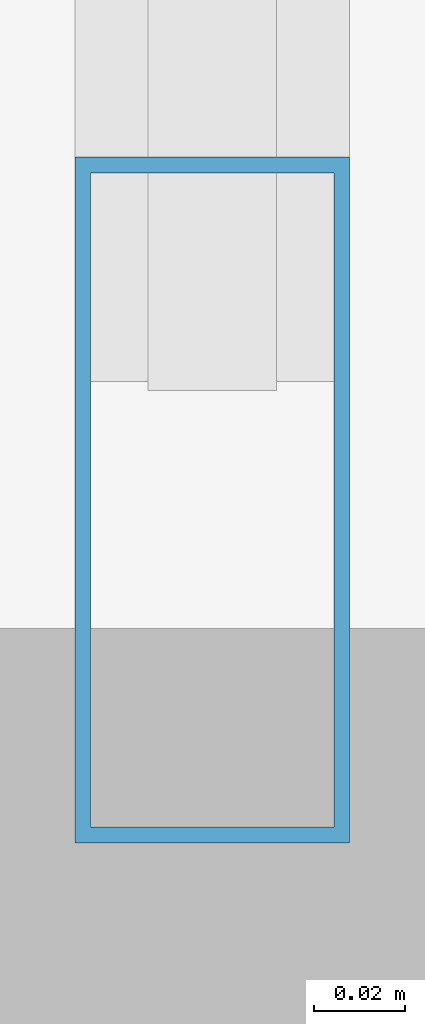
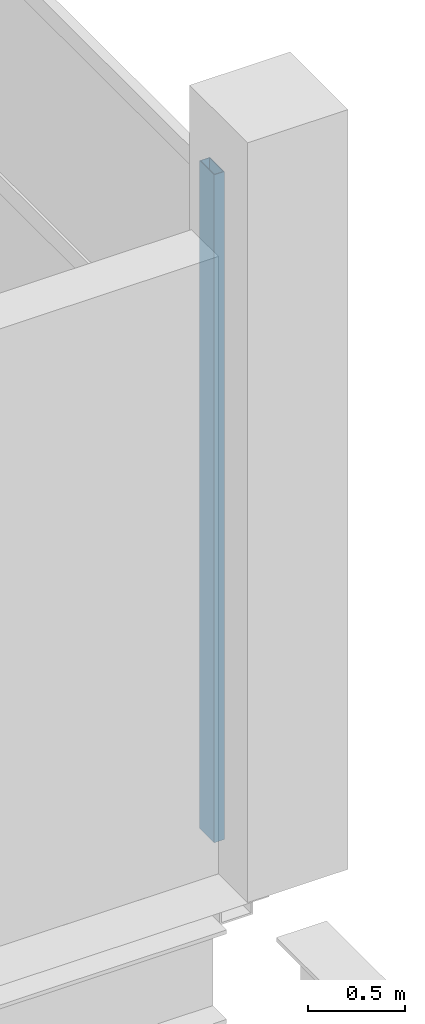
# One storey, part 96 of 134: 1 member, 1 element without a shape of its own.
"""IFC4 building model written with IfcOpenShell, lengths in metres."""

import ifcopenshell
import ifcopenshell.guid

model = None  # the IFC model being written
_history = None  # IfcOwnerHistory: only IFC2X3 demands one
_inside = {}  # id of a spatial element -> (the spatial element, [elements in it])
_under = {}  # id of a project, library or spatial element -> (it, [spatial elements below it])
_declared = {}  # id of a project -> (the project, [libraries it declares])
_typed = {}  # id of a type object -> (the type object, [elements of that type])
_made_of = {}  # id of a material, layer set ... -> (it, [elements and type objects made of it])


def new_model(schema):
    """Start an empty IFC model of exactly this schema.

    Asked for "IFC4X3", IfcOpenShell would pick the latest addendum, in which some entities
    have other attributes; the version numbers below select the first issue.
    IFC2X3 requires an IfcOwnerHistory on every rooted entity: one is made here for all.
    """
    global model, _history
    if schema == "IFC4X3":
        model = ifcopenshell.file(schema_version=(4, 3, 0, 0))
    else:
        model = ifcopenshell.file(schema=schema)
    _inside.clear()
    _under.clear()
    _declared.clear()
    _typed.clear()
    _made_of.clear()
    _history = None
    if model.schema == "IFC2X3":
        org = make("IfcOrganization", Name="unknown")
        user = make(
            "IfcPersonAndOrganization",
            ThePerson=make("IfcPerson", FamilyName="unknown"),
            TheOrganization=org,
        )
        app = make(
            "IfcApplication",
            ApplicationDeveloper=org,
            Version="unknown",
            ApplicationFullName="unknown",
            ApplicationIdentifier="unknown",
        )
        _history = make(
            "IfcOwnerHistory",
            OwningUser=user,
            OwningApplication=app,
            ChangeAction="ADDED",
            CreationDate=0,
        )
    return model


def make(cls, **values):
    """One entity of the class cls with the attributes given. An attribute that is None is left unset."""
    return model.create_entity(
        cls, **{name: value for name, value in values.items() if value is not None}
    )


def rooted(cls, **values):
    """An entity with a GlobalId (a new one), such as an element, a storey or a relation."""
    return make(cls, GlobalId=ifcopenshell.guid.new(), OwnerHistory=_history, **values)


def si_unit(unit_type, name, prefix=None):
    """IfcSIUnit, for example si_unit("LENGTHUNIT", "METRE", prefix="MILLI")."""
    return make("IfcSIUnit", UnitType=unit_type, Prefix=prefix, Name=name)


def assignment(units):
    """IfcUnitAssignment: the units of a project."""
    return None if units is None else make("IfcUnitAssignment", Units=units)


def point(xyz):
    """IfcCartesianPoint."""
    return None if xyz is None else make("IfcCartesianPoint", Coordinates=xyz)


def direction(xyz):
    """IfcDirection."""
    return None if xyz is None else make("IfcDirection", DirectionRatios=xyz)


def frame(location, z_axis=None, x_axis=None):
    """IfcAxis2Placement3D, a coordinate frame: its origin and axes. An axis left out is left unset."""
    return make(
        "IfcAxis2Placement3D",
        Location=point(location),
        Axis=direction(z_axis),
        RefDirection=direction(x_axis),
    )


def frame_2d(location, x_axis=None):
    """IfcAxis2Placement2D, a coordinate frame in the plane: its origin and x axis."""
    return make(
        "IfcAxis2Placement2D", Location=point(location), RefDirection=direction(x_axis)
    )


def origin():
    """The frame at (0, 0, 0) with its axes left unset."""
    return frame((0.0, 0.0, 0.0))


def origin_2d():
    """The frame at (0, 0) in the plane with its x axis left unset."""
    return frame_2d((0.0, 0.0))


def place(relative_to, where):
    """IfcLocalPlacement: puts the frame where relative to a parent placement (None: the world)."""
    return make(
        "IfcLocalPlacement", PlacementRelTo=relative_to, RelativePlacement=where
    )


def context(
    kind, dimensions, precision=None, world=None, true_north=None, identifier=None
):
    """IfcGeometricRepresentationContext, for example the 3D "Model" context."""
    return make(
        "IfcGeometricRepresentationContext",
        ContextIdentifier=identifier,
        ContextType=kind,
        CoordinateSpaceDimension=dimensions,
        Precision=precision,
        WorldCoordinateSystem=world,
        TrueNorth=true_north,
    )


def subcontext(parent, identifier, kind, view, scale=None):
    """IfcGeometricRepresentationSubContext, for example "Body" below "Model"."""
    return make(
        "IfcGeometricRepresentationSubContext",
        ContextIdentifier=identifier,
        ContextType=kind,
        ParentContext=parent,
        TargetScale=scale,
        TargetView=view,
    )


def project(units=None, contexts=None):
    """IfcProject with its units and contexts."""
    return rooted(
        "IfcProject",
        Name="project",
        RepresentationContexts=contexts,
        UnitsInContext=assignment(units),
    )


def spatial(cls, under=None, at=None, **own):
    """A site, building, storey or space (cls), placed at a placement, below another one or the project."""
    s = rooted(cls, ObjectPlacement=at, **own)
    if under is not None:
        _under.setdefault(under.id(), (under, []))[1].append(s)
    return s


def profile(cls, at=None, kind="AREA", **sizes):
    """A parametric profile (cls). Its sizes go by their IFC names, for example OverallWidth=200.0."""
    return make(cls, ProfileType=kind, Position=at, **sizes)


def hollow_rectangle(**sizes):
    """IfcRectangleHollowProfileDef."""
    return profile("IfcRectangleHollowProfileDef", **sizes)


def extrude(swept, where, along, depth):
    """IfcExtrudedAreaSolid: the profile swept, set in the frame where, extruded along a direction by depth."""
    return make(
        "IfcExtrudedAreaSolid",
        SweptArea=swept,
        Position=where,
        ExtrudedDirection=direction(along),
        Depth=depth,
    )


def shape(context_of_items, identifier, shape_type, items):
    """IfcShapeRepresentation: the items that make up one representation, for example the "Body"."""
    return make(
        "IfcShapeRepresentation",
        ContextOfItems=context_of_items,
        RepresentationIdentifier=identifier,
        RepresentationType=shape_type,
        Items=items,
    )


def material(Name=None, Category=None):
    """IfcMaterial."""
    return make("IfcMaterial", Name=Name, Category=Category)


def layer(
    of_material, thickness, ventilated=None, Name=None, Category=None, Priority=None
):
    """IfcMaterialLayer: one layer of a wall or slab, of a material (None: an air gap)."""
    return make(
        "IfcMaterialLayer",
        Material=of_material,
        LayerThickness=thickness,
        IsVentilated=ventilated,
        Name=Name,
        Category=Category,
        Priority=Priority,
    )


def layer_set(layers, Name=None):
    """IfcMaterialLayerSet."""
    return make("IfcMaterialLayerSet", MaterialLayers=layers, LayerSetName=Name)


def material_profile(
    of_material, cross_section, Name=None, Category=None, Priority=None
):
    """IfcMaterialProfile: a cross section and its material."""
    return make(
        "IfcMaterialProfile",
        Name=Name,
        Material=of_material,
        Profile=cross_section,
        Priority=Priority,
        Category=Category,
    )


def profile_set(profiles, Name=None, composite=None):
    """IfcMaterialProfileSet."""
    return make(
        "IfcMaterialProfileSet",
        Name=Name,
        MaterialProfiles=profiles,
        CompositeProfile=composite,
    )


def made_of(thing, what):
    """Note that an element or type object is made of a material, layer set ...; save() writes the relation."""
    if what is not None:
        _made_of.setdefault(what.id(), (what, []))[1].append(thing)
    return thing


def type_object(cls, material=None, **own):
    """A type object (cls), such as IfcWallType, which elements share."""
    return made_of(rooted(cls, **own), material)


def element(
    cls,
    number,
    at=None,
    inside=None,
    cuts=None,
    type_object=None,
    material=None,
    context=None,
    identifier="Body",
    shape_type=None,
    held_by="IfcProductDefinitionShape",
    body=None,
    shapes=None,
    **own,
):
    """One element of the class cls, such as IfcWall. Its Tag is "e" and its number.

    at: its placement. inside: the storey or other place that contains it. cuts: it is an
    opening in that element (IfcRelVoidsElement). A single representation is given by context,
    identifier, shape_type and body (its items); several are given by shapes. held_by: the class
    of the entity that holds the representations. save() writes the other relations.
    """
    e = rooted(cls, Tag="e%d" % number, ObjectPlacement=at, **own)
    if body is not None:
        shapes = [shape(context, identifier, shape_type, body)]
    if shapes is not None:
        e.Representation = make(held_by, Representations=shapes)
    if inside is not None:
        _inside.setdefault(inside.id(), (inside, []))[1].append(e)
    if cuts is not None:
        rooted(
            "IfcRelVoidsElement", RelatingBuildingElement=cuts, RelatedOpeningElement=e
        )
    if type_object is not None:
        _typed.setdefault(type_object.id(), (type_object, []))[1].append(e)
    return made_of(e, material)


def aggregate(whole, parts):
    """IfcRelAggregates: a whole, such as a stair, and the parts it consists of."""
    return rooted("IfcRelAggregates", RelatingObject=whole, RelatedObjects=parts)


def save(model, path):
    """Write the relations noted so far, then the file.

    IfcRelAggregates (storeys below a building ...), IfcRelContainedInSpatialStructure (elements
    in a storey), IfcRelDefinesByType, IfcRelAssociatesMaterial and IfcRelDeclares: one each for
    every whole, place, type object, material and project.
    """
    for whole, parts in _under.values():
        aggregate(whole, parts)
    for where, things in _inside.values():
        rooted(
            "IfcRelContainedInSpatialStructure",
            RelatedElements=things,
            RelatingStructure=where,
        )
    for kind, things in _typed.values():
        rooted("IfcRelDefinesByType", RelatedObjects=things, RelatingType=kind)
    for what, things in _made_of.values():
        rooted("IfcRelAssociatesMaterial", RelatedObjects=things, RelatingMaterial=what)
    for by, libraries in _declared.values():
        rooted("IfcRelDeclares", RelatingContext=by, RelatedDefinitions=libraries)
    model.write(path)


model = new_model("IFC4")

# Units and contexts
model_context = context("Model", 3, precision=1e-05, world=origin(), true_north=direction((0.0, 1.0)))
body_context = subcontext(model_context, "Body", "Model", "MODEL_VIEW")
ifc_project = project(units=[si_unit("LENGTHUNIT", "METRE"), si_unit("AREAUNIT", "SQUARE_METRE"), si_unit("VOLUMEUNIT", "CUBIC_METRE"), si_unit("PLANEANGLEUNIT", "RADIAN"), si_unit("MASSUNIT", "GRAM", prefix="KILO")], contexts=[model_context])

# Site, building, storey
site_placement = place(None, origin())
site = spatial("IfcSite", under=ifc_project, at=site_placement, CompositionType="ELEMENT")
building_placement = place(site_placement, origin())
building = spatial("IfcBuilding", under=site, at=building_placement, Name="Tamarisk Ironworks Central Station", CompositionType="ELEMENT")
storey_placement = place(building_placement, frame((0.0, 0.0, 12.60009765625)))
storey = spatial("IfcBuildingStorey", under=building, at=storey_placement, Name="L02", CompositionType="ELEMENT", Elevation=12.60009765625)

# Curtain wall, member
ifc_material = material(Name="Anodized aluminium alloy 6063-T6", Category="aluminium")
ifc_layer = layer(ifc_material, 0.179931640625)
ifc_layer_set = layer_set([ifc_layer], Name="Anodized aluminium alloy 6063-T6")
curtain_wall_type = type_object("IfcCurtainWallType", Name="CW-17", PredefinedType="USERDEFINED", material=ifc_layer_set)
curtain_wall_placement = place(storey_placement, origin())
curtain_wall = element("IfcCurtainWall", 1, at=curtain_wall_placement, inside=storey, type_object=curtain_wall_type, Name="Operations L02 east facade curtain wall 079", ObjectType="GLAZED CURTAIN WALL", PredefinedType="USERDEFINED")
ifc_material_profile = material_profile(ifc_material, hollow_rectangle(XDim=0.06005859375, YDim=0.14990234375, WallThickness=0.00341796875, at=origin_2d()), Name="ALUM 150x60")
ifc_profile_set = profile_set([ifc_material_profile], Name="Anodized aluminium alloy 6063-T6")
member_type = type_object("IfcMemberType", Name="CWM-03", PredefinedType="MULLION", material=ifc_profile_set)
member_placement = place(storey_placement, frame((179.85009765625, 79.528076171875, 0.0), z_axis=(0.0, 0.0, 1.0), x_axis=(-1.0, 0.0, 0.0)))
member = element("IfcMember", 2, at=member_placement, type_object=member_type, Name="CW17 mullion 1", PredefinedType="MULLION", context=body_context, shape_type="SweptSolid", body=[
    extrude(hollow_rectangle(XDim=0.06005859375, YDim=0.14990234375, WallThickness=0.00341796875, at=origin_2d()), origin(), (0.0, 0.0, 1.0), 4.219970703125),
])
aggregate(curtain_wall, [member])

save(model, "model.ifc")
